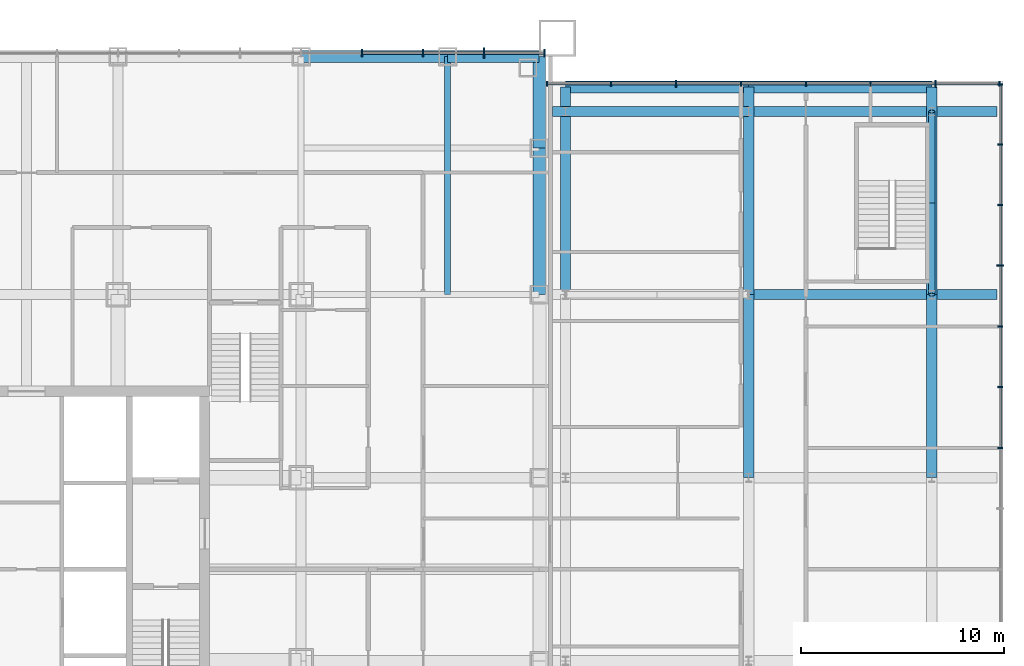
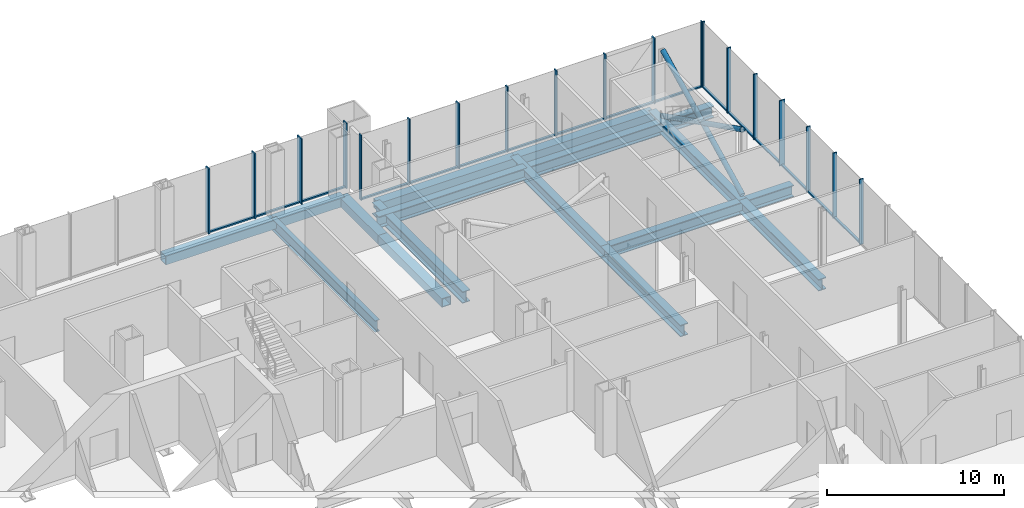
# One storey, part 12 of 25: 37 members, 15 beams, 3 elements without a shape of their own.
"""IFC4 building model written with IfcOpenShell, lengths in metres."""

import ifcopenshell
import ifcopenshell.guid

model = None  # the IFC model being written
_history = None  # IfcOwnerHistory: only IFC2X3 demands one
_inside = {}  # id of a spatial element -> (the spatial element, [elements in it])
_under = {}  # id of a project, library or spatial element -> (it, [spatial elements below it])
_declared = {}  # id of a project -> (the project, [libraries it declares])
_typed = {}  # id of a type object -> (the type object, [elements of that type])
_made_of = {}  # id of a material, layer set ... -> (it, [elements and type objects made of it])


def new_model(schema):
    """Start an empty IFC model of exactly this schema.

    Asked for "IFC4X3", IfcOpenShell would pick the latest addendum, in which some entities
    have other attributes; the version numbers below select the first issue.
    IFC2X3 requires an IfcOwnerHistory on every rooted entity: one is made here for all.
    """
    global model, _history
    if schema == "IFC4X3":
        model = ifcopenshell.file(schema_version=(4, 3, 0, 0))
    else:
        model = ifcopenshell.file(schema=schema)
    _inside.clear()
    _under.clear()
    _declared.clear()
    _typed.clear()
    _made_of.clear()
    _history = None
    if model.schema == "IFC2X3":
        org = make("IfcOrganization", Name="unknown")
        user = make(
            "IfcPersonAndOrganization",
            ThePerson=make("IfcPerson", FamilyName="unknown"),
            TheOrganization=org,
        )
        app = make(
            "IfcApplication",
            ApplicationDeveloper=org,
            Version="unknown",
            ApplicationFullName="unknown",
            ApplicationIdentifier="unknown",
        )
        _history = make(
            "IfcOwnerHistory",
            OwningUser=user,
            OwningApplication=app,
            ChangeAction="ADDED",
            CreationDate=0,
        )
    return model


def make(cls, **values):
    """One entity of the class cls with the attributes given. An attribute that is None is left unset."""
    return model.create_entity(
        cls, **{name: value for name, value in values.items() if value is not None}
    )


def rooted(cls, **values):
    """An entity with a GlobalId (a new one), such as an element, a storey or a relation."""
    return make(cls, GlobalId=ifcopenshell.guid.new(), OwnerHistory=_history, **values)


def si_unit(unit_type, name, prefix=None):
    """IfcSIUnit, for example si_unit("LENGTHUNIT", "METRE", prefix="MILLI")."""
    return make("IfcSIUnit", UnitType=unit_type, Prefix=prefix, Name=name)


def assignment(units):
    """IfcUnitAssignment: the units of a project."""
    return None if units is None else make("IfcUnitAssignment", Units=units)


def point(xyz):
    """IfcCartesianPoint."""
    return None if xyz is None else make("IfcCartesianPoint", Coordinates=xyz)


def direction(xyz):
    """IfcDirection."""
    return None if xyz is None else make("IfcDirection", DirectionRatios=xyz)


def frame(location, z_axis=None, x_axis=None):
    """IfcAxis2Placement3D, a coordinate frame: its origin and axes. An axis left out is left unset."""
    return make(
        "IfcAxis2Placement3D",
        Location=point(location),
        Axis=direction(z_axis),
        RefDirection=direction(x_axis),
    )


def frame_2d(location, x_axis=None):
    """IfcAxis2Placement2D, a coordinate frame in the plane: its origin and x axis."""
    return make(
        "IfcAxis2Placement2D", Location=point(location), RefDirection=direction(x_axis)
    )


def origin():
    """The frame at (0, 0, 0) with its axes left unset."""
    return frame((0.0, 0.0, 0.0))


def origin_2d():
    """The frame at (0, 0) in the plane with its x axis left unset."""
    return frame_2d((0.0, 0.0))


def place(relative_to, where):
    """IfcLocalPlacement: puts the frame where relative to a parent placement (None: the world)."""
    return make(
        "IfcLocalPlacement", PlacementRelTo=relative_to, RelativePlacement=where
    )


def context(
    kind, dimensions, precision=None, world=None, true_north=None, identifier=None
):
    """IfcGeometricRepresentationContext, for example the 3D "Model" context."""
    return make(
        "IfcGeometricRepresentationContext",
        ContextIdentifier=identifier,
        ContextType=kind,
        CoordinateSpaceDimension=dimensions,
        Precision=precision,
        WorldCoordinateSystem=world,
        TrueNorth=true_north,
    )


def subcontext(parent, identifier, kind, view, scale=None):
    """IfcGeometricRepresentationSubContext, for example "Body" below "Model"."""
    return make(
        "IfcGeometricRepresentationSubContext",
        ContextIdentifier=identifier,
        ContextType=kind,
        ParentContext=parent,
        TargetScale=scale,
        TargetView=view,
    )


def project(units=None, contexts=None):
    """IfcProject with its units and contexts."""
    return rooted(
        "IfcProject",
        Name="project",
        RepresentationContexts=contexts,
        UnitsInContext=assignment(units),
    )


def spatial(cls, under=None, at=None, **own):
    """A site, building, storey or space (cls), placed at a placement, below another one or the project."""
    s = rooted(cls, ObjectPlacement=at, **own)
    if under is not None:
        _under.setdefault(under.id(), (under, []))[1].append(s)
    return s


def profile(cls, at=None, kind="AREA", **sizes):
    """A parametric profile (cls). Its sizes go by their IFC names, for example OverallWidth=200.0."""
    return make(cls, ProfileType=kind, Position=at, **sizes)


def rectangle(**sizes):
    """IfcRectangleProfileDef."""
    return profile("IfcRectangleProfileDef", **sizes)


def hollow_rectangle(**sizes):
    """IfcRectangleHollowProfileDef."""
    return profile("IfcRectangleHollowProfileDef", **sizes)


def hollow_circle(**sizes):
    """IfcCircleHollowProfileDef."""
    return profile("IfcCircleHollowProfileDef", **sizes)


def i_section(**sizes):
    """IfcIShapeProfileDef."""
    return profile("IfcIShapeProfileDef", **sizes)


def extrude(swept, where, along, depth):
    """IfcExtrudedAreaSolid: the profile swept, set in the frame where, extruded along a direction by depth."""
    return make(
        "IfcExtrudedAreaSolid",
        SweptArea=swept,
        Position=where,
        ExtrudedDirection=direction(along),
        Depth=depth,
    )


def shape(context_of_items, identifier, shape_type, items):
    """IfcShapeRepresentation: the items that make up one representation, for example the "Body"."""
    return make(
        "IfcShapeRepresentation",
        ContextOfItems=context_of_items,
        RepresentationIdentifier=identifier,
        RepresentationType=shape_type,
        Items=items,
    )


def material(Name=None, Category=None):
    """IfcMaterial."""
    return make("IfcMaterial", Name=Name, Category=Category)


def layer(
    of_material, thickness, ventilated=None, Name=None, Category=None, Priority=None
):
    """IfcMaterialLayer: one layer of a wall or slab, of a material (None: an air gap)."""
    return make(
        "IfcMaterialLayer",
        Material=of_material,
        LayerThickness=thickness,
        IsVentilated=ventilated,
        Name=Name,
        Category=Category,
        Priority=Priority,
    )


def layer_set(layers, Name=None):
    """IfcMaterialLayerSet."""
    return make("IfcMaterialLayerSet", MaterialLayers=layers, LayerSetName=Name)


def material_profile(
    of_material, cross_section, Name=None, Category=None, Priority=None
):
    """IfcMaterialProfile: a cross section and its material."""
    return make(
        "IfcMaterialProfile",
        Name=Name,
        Material=of_material,
        Profile=cross_section,
        Priority=Priority,
        Category=Category,
    )


def profile_set(profiles, Name=None, composite=None):
    """IfcMaterialProfileSet."""
    return make(
        "IfcMaterialProfileSet",
        Name=Name,
        MaterialProfiles=profiles,
        CompositeProfile=composite,
    )


def made_of(thing, what):
    """Note that an element or type object is made of a material, layer set ...; save() writes the relation."""
    if what is not None:
        _made_of.setdefault(what.id(), (what, []))[1].append(thing)
    return thing


def type_object(cls, material=None, **own):
    """A type object (cls), such as IfcWallType, which elements share."""
    return made_of(rooted(cls, **own), material)


def element(
    cls,
    number,
    at=None,
    inside=None,
    cuts=None,
    type_object=None,
    material=None,
    context=None,
    identifier="Body",
    shape_type=None,
    held_by="IfcProductDefinitionShape",
    body=None,
    shapes=None,
    **own,
):
    """One element of the class cls, such as IfcWall. Its Tag is "e" and its number.

    at: its placement. inside: the storey or other place that contains it. cuts: it is an
    opening in that element (IfcRelVoidsElement). A single representation is given by context,
    identifier, shape_type and body (its items); several are given by shapes. held_by: the class
    of the entity that holds the representations. save() writes the other relations.
    """
    e = rooted(cls, Tag="e%d" % number, ObjectPlacement=at, **own)
    if body is not None:
        shapes = [shape(context, identifier, shape_type, body)]
    if shapes is not None:
        e.Representation = make(held_by, Representations=shapes)
    if inside is not None:
        _inside.setdefault(inside.id(), (inside, []))[1].append(e)
    if cuts is not None:
        rooted(
            "IfcRelVoidsElement", RelatingBuildingElement=cuts, RelatedOpeningElement=e
        )
    if type_object is not None:
        _typed.setdefault(type_object.id(), (type_object, []))[1].append(e)
    return made_of(e, material)


def aggregate(whole, parts):
    """IfcRelAggregates: a whole, such as a stair, and the parts it consists of."""
    return rooted("IfcRelAggregates", RelatingObject=whole, RelatedObjects=parts)


def save(model, path):
    """Write the relations noted so far, then the file.

    IfcRelAggregates (storeys below a building ...), IfcRelContainedInSpatialStructure (elements
    in a storey), IfcRelDefinesByType, IfcRelAssociatesMaterial and IfcRelDeclares: one each for
    every whole, place, type object, material and project.
    """
    for whole, parts in _under.values():
        aggregate(whole, parts)
    for where, things in _inside.values():
        rooted(
            "IfcRelContainedInSpatialStructure",
            RelatedElements=things,
            RelatingStructure=where,
        )
    for kind, things in _typed.values():
        rooted("IfcRelDefinesByType", RelatedObjects=things, RelatingType=kind)
    for what, things in _made_of.values():
        rooted("IfcRelAssociatesMaterial", RelatedObjects=things, RelatingMaterial=what)
    for by, libraries in _declared.values():
        rooted("IfcRelDeclares", RelatingContext=by, RelatedDefinitions=libraries)
    model.write(path)


model = new_model("IFC4")

# Units and contexts
model_context = context("Model", 3, precision=1e-05, world=origin(), true_north=direction((0.0, 1.0)))
body_context = subcontext(model_context, "Body", "Model", "MODEL_VIEW")
ifc_project = project(units=[si_unit("LENGTHUNIT", "METRE"), si_unit("AREAUNIT", "SQUARE_METRE"), si_unit("VOLUMEUNIT", "CUBIC_METRE"), si_unit("PLANEANGLEUNIT", "RADIAN"), si_unit("MASSUNIT", "GRAM", prefix="KILO")], contexts=[model_context])

# Site, building, storey
site_placement = place(None, origin())
site = spatial("IfcSite", under=ifc_project, at=site_placement, CompositionType="ELEMENT")
building_placement = place(site_placement, origin())
building = spatial("IfcBuilding", under=site, at=building_placement, Name="Malebo Sky Hospital", CompositionType="ELEMENT")
storey_placement = place(building_placement, frame((0.0, 0.0, 16.5)))
storey = spatial("IfcBuildingStorey", under=building, at=storey_placement, Name="L03", CompositionType="ELEMENT", Elevation=16.5)

# Curtain wall, members
ifc_material_1 = material(Name="Anodised aluminium, natural silver", Category="aluminium")
ifc_layer_1 = layer(ifc_material_1, 0.25)
ifc_layer_set_1 = layer_set([ifc_layer_1], Name="PODIUM ENTRANCE BAY CURTAIN WALL")
curtain_wall_type_1 = type_object("IfcCurtainWallType", Name="PODIUM ENTRANCE BAY CURTAIN WALL", PredefinedType="NOTDEFINED", material=ifc_layer_set_1)
curtain_wall_1_placement = place(storey_placement, origin())
curtain_wall_1 = element("IfcCurtainWall", 1, at=curtain_wall_1_placement, inside=storey, type_object=curtain_wall_type_1, Name="BAY curtain wall BN", PredefinedType="NOTDEFINED")
ifc_material_profile_1 = material_profile(ifc_material_1, rectangle(XDim=0.14990234375, YDim=0.10009765625, at=origin_2d()), Name="ALUMINIUM TRANSOM 150x100")
ifc_profile_set_1 = profile_set([ifc_material_profile_1], Name="Anodised aluminium, natural silver")
member_type_1 = type_object("IfcMemberType", Name="ALUMINIUM TRANSOM 150x100", PredefinedType="USERDEFINED", material=ifc_profile_set_1)
member_1_placement = place(storey_placement, frame((85.425048828125, 87.375, 0.050048828125), z_axis=(-1.0, 0.0, 0.0), x_axis=(0.0, -1.0, 0.0)))
member_1 = element("IfcMember", 2, at=member_1_placement, type_object=member_type_1, Name="Transom 1", ObjectType="TRANSOM", PredefinedType="USERDEFINED", context=body_context, shape_type="SweptSolid", body=[
    extrude(rectangle(XDim=0.14990234375, YDim=0.10009765625, at=origin_2d()), origin(), (0.0, 0.0, 1.0), 2.887451171875),
])
member_2_placement = place(storey_placement, frame((82.46240234375, 87.375, 0.050048828125), z_axis=(-1.0, 0.0, 0.0), x_axis=(0.0, -1.0, 0.0)))
member_2 = element("IfcMember", 3, at=member_2_placement, type_object=member_type_1, Name="Transom 2", ObjectType="TRANSOM", PredefinedType="USERDEFINED", context=body_context, shape_type="SweptSolid", body=[
    extrude(rectangle(XDim=0.14990234375, YDim=0.10009765625, at=origin_2d()), origin(), (0.0, 0.0, 1.0), 2.9248046875),
])
member_3_placement = place(storey_placement, frame((79.46240234375, 87.375, 0.050048828125), z_axis=(-1.0, 0.0, 0.0), x_axis=(0.0, -1.0, 0.0)))
member_3 = element("IfcMember", 4, at=member_3_placement, type_object=member_type_1, Name="Transom 3", ObjectType="TRANSOM", PredefinedType="USERDEFINED", context=body_context, shape_type="SweptSolid", body=[
    extrude(rectangle(XDim=0.14990234375, YDim=0.10009765625, at=origin_2d()), origin(), (0.0, 0.0, 1.0), 2.9248046875),
])

ifc_layer_2 = layer(ifc_material_1, 0.25)
ifc_layer_set_2 = layer_set([ifc_layer_2], Name="PODIUM CURTAIN WALL")
curtain_wall_type_2 = type_object("IfcCurtainWallType", Name="PODIUM CURTAIN WALL", PredefinedType="NOTDEFINED", material=ifc_layer_set_2)
curtain_wall_2_placement = place(storey_placement, origin())
curtain_wall_2 = element("IfcCurtainWall", 5, at=curtain_wall_2_placement, inside=storey, type_object=curtain_wall_type_2, Name="POD curtain wall EE", PredefinedType="NOTDEFINED")
member_4_placement = place(storey_placement, frame((107.875, 68.00634765625, 0.050048828125), z_axis=(0.0, 1.0, 0.0), x_axis=(-1.0, 0.0, 0.0)))
member_4 = element("IfcMember", 6, at=member_4_placement, type_object=member_type_1, Name="Transom 11", ObjectType="TRANSOM", PredefinedType="USERDEFINED", context=body_context, shape_type="SweptSolid", body=[
    extrude(rectangle(XDim=0.14990234375, YDim=0.10009765625, at=origin_2d()), origin(), (0.0, 0.0, 1.0), 2.9091796875),
])
member_5_placement = place(storey_placement, frame((107.875, 70.990478515625, 0.050048828125), z_axis=(0.0, 1.0, 0.0), x_axis=(-1.0, 0.0, 0.0)))
member_5 = element("IfcMember", 7, at=member_5_placement, type_object=member_type_1, Name="Transom 12", ObjectType="TRANSOM", PredefinedType="USERDEFINED", context=body_context, shape_type="SweptSolid", body=[
    extrude(rectangle(XDim=0.14990234375, YDim=0.10009765625, at=origin_2d()), origin(), (0.0, 0.0, 1.0), 2.909423828125),
])
member_6_placement = place(storey_placement, frame((107.875, 73.97509765625, 0.050048828125), z_axis=(0.0, 1.0, 0.0), x_axis=(-1.0, 0.0, 0.0)))
member_6 = element("IfcMember", 8, at=member_6_placement, type_object=member_type_1, Name="Transom 13", ObjectType="TRANSOM", PredefinedType="USERDEFINED", context=body_context, shape_type="SweptSolid", body=[
    extrude(rectangle(XDim=0.14990234375, YDim=0.10009765625, at=origin_2d()), origin(), (0.0, 0.0, 1.0), 2.909423828125),
])
member_7_placement = place(storey_placement, frame((107.875, 76.95947265625, 0.050048828125), z_axis=(0.0, 1.0, 0.0), x_axis=(-1.0, 0.0, 0.0)))
member_7 = element("IfcMember", 9, at=member_7_placement, type_object=member_type_1, Name="Transom 14", ObjectType="TRANSOM", PredefinedType="USERDEFINED", context=body_context, shape_type="SweptSolid", body=[
    extrude(rectangle(XDim=0.14990234375, YDim=0.10009765625, at=origin_2d()), origin(), (0.0, 0.0, 1.0), 2.9091796875),
])
member_8_placement = place(storey_placement, frame((107.875, 79.943603515625, 0.050048828125), z_axis=(0.0, 1.0, 0.0), x_axis=(-1.0, 0.0, 0.0)))
member_8 = element("IfcMember", 10, at=member_8_placement, type_object=member_type_1, Name="Transom 15", ObjectType="TRANSOM", PredefinedType="USERDEFINED", context=body_context, shape_type="SweptSolid", body=[
    extrude(rectangle(XDim=0.14990234375, YDim=0.10009765625, at=origin_2d()), origin(), (0.0, 0.0, 1.0), 2.909423828125),
])
member_9_placement = place(storey_placement, frame((107.875, 82.927978515625, 0.050048828125), z_axis=(0.0, 1.0, 0.0), x_axis=(-1.0, 0.0, 0.0)))
member_9 = element("IfcMember", 11, at=member_9_placement, type_object=member_type_1, Name="Transom 16", ObjectType="TRANSOM", PredefinedType="USERDEFINED", context=body_context, shape_type="SweptSolid", body=[
    extrude(rectangle(XDim=0.14990234375, YDim=0.10009765625, at=origin_2d()), origin(), (0.0, 0.0, 1.0), 2.8720703125),
])

curtain_wall_3_placement = place(storey_placement, origin())
curtain_wall_3 = element("IfcCurtainWall", 12, at=curtain_wall_3_placement, inside=storey, type_object=curtain_wall_type_2, Name="POD curtain wall EN", PredefinedType="NOTDEFINED")
member_10_placement = place(storey_placement, frame((107.800048828125, 85.875, 0.050048828125), z_axis=(-1.0, 0.0, 0.0), x_axis=(0.0, -1.0, 0.0)))
member_10 = element("IfcMember", 13, at=member_10_placement, type_object=member_type_1, Name="Transom 1", ObjectType="TRANSOM", PredefinedType="USERDEFINED", context=body_context, shape_type="SweptSolid", body=[
    extrude(rectangle(XDim=0.14990234375, YDim=0.10009765625, at=origin_2d()), origin(), (0.0, 0.0, 1.0), 3.076904296875),
])
member_11_placement = place(storey_placement, frame((104.648193359375, 85.875, 0.050048828125), z_axis=(-1.0, 0.0, 0.0), x_axis=(0.0, -1.0, 0.0)))
member_11 = element("IfcMember", 14, at=member_11_placement, type_object=member_type_1, Name="Transom 2", ObjectType="TRANSOM", PredefinedType="USERDEFINED", context=body_context, shape_type="SweptSolid", body=[
    extrude(rectangle(XDim=0.14990234375, YDim=0.10009765625, at=origin_2d()), origin(), (0.0, 0.0, 1.0), 3.1142578125),
])
member_12_placement = place(storey_placement, frame((101.458984375, 85.875, 0.050048828125), z_axis=(-1.0, 0.0, 0.0), x_axis=(0.0, -1.0, 0.0)))
member_12 = element("IfcMember", 15, at=member_12_placement, type_object=member_type_1, Name="Transom 3", ObjectType="TRANSOM", PredefinedType="USERDEFINED", context=body_context, shape_type="SweptSolid", body=[
    extrude(rectangle(XDim=0.14990234375, YDim=0.10009765625, at=origin_2d()), origin(), (0.0, 0.0, 1.0), 3.114501953125),
])
member_13_placement = place(storey_placement, frame((98.26953125, 85.875, 0.050048828125), z_axis=(-1.0, 0.0, 0.0), x_axis=(0.0, -1.0, 0.0)))
member_13 = element("IfcMember", 16, at=member_13_placement, type_object=member_type_1, Name="Transom 4", ObjectType="TRANSOM", PredefinedType="USERDEFINED", context=body_context, shape_type="SweptSolid", body=[
    extrude(rectangle(XDim=0.14990234375, YDim=0.10009765625, at=origin_2d()), origin(), (0.0, 0.0, 1.0), 3.114013671875),
])
member_14_placement = place(storey_placement, frame((95.080322265625, 85.875, 0.050048828125), z_axis=(-1.0, 0.0, 0.0), x_axis=(0.0, -1.0, 0.0)))
member_14 = element("IfcMember", 17, at=member_14_placement, type_object=member_type_1, Name="Transom 5", ObjectType="TRANSOM", PredefinedType="USERDEFINED", context=body_context, shape_type="SweptSolid", body=[
    extrude(rectangle(XDim=0.14990234375, YDim=0.10009765625, at=origin_2d()), origin(), (0.0, 0.0, 1.0), 3.1142578125),
])
member_15_placement = place(storey_placement, frame((91.89111328125, 85.875, 0.050048828125), z_axis=(-1.0, 0.0, 0.0), x_axis=(0.0, -1.0, 0.0)))
member_15 = element("IfcMember", 18, at=member_15_placement, type_object=member_type_1, Name="Transom 6", ObjectType="TRANSOM", PredefinedType="USERDEFINED", context=body_context, shape_type="SweptSolid", body=[
    extrude(rectangle(XDim=0.14990234375, YDim=0.10009765625, at=origin_2d()), origin(), (0.0, 0.0, 1.0), 3.1142578125),
])
member_16_placement = place(storey_placement, frame((88.701904296875, 85.875, 0.050048828125), z_axis=(-1.0, 0.0, 0.0), x_axis=(0.0, -1.0, 0.0)))
member_16 = element("IfcMember", 19, at=member_16_placement, type_object=member_type_1, Name="Transom 7", ObjectType="TRANSOM", PredefinedType="USERDEFINED", context=body_context, shape_type="SweptSolid", body=[
    extrude(rectangle(XDim=0.14990234375, YDim=0.10009765625, at=origin_2d()), origin(), (0.0, 0.0, 1.0), 3.076904296875),
])

# Member
ifc_material_profile_2 = material_profile(ifc_material_1, rectangle(XDim=0.074951171875, YDim=0.25, at=origin_2d()), Name="CW3 ALUMINIUM FIN MULLION 75x250")
ifc_profile_set_2 = profile_set([ifc_material_profile_2], Name="Anodised aluminium, natural silver")
member_type_2 = type_object("IfcMemberType", Name="CW3 ALUMINIUM FIN MULLION 75x250", PredefinedType="MULLION", material=ifc_profile_set_2)
member_17_placement = place(storey_placement, frame((107.875, 67.96875, 0.0), z_axis=(0.0, 0.0, 1.0), x_axis=(0.0, 1.0, 0.0)))
member_17 = element("IfcMember", 20, at=member_17_placement, type_object=member_type_2, Name="Fin mullion 11", PredefinedType="MULLION", context=body_context, shape_type="SweptSolid", body=[
    extrude(rectangle(XDim=0.074951171875, YDim=0.25, at=origin_2d()), origin(), (0.0, 0.0, 1.0), 4.5),
])

member_18_placement = place(storey_placement, frame((107.875, 70.953125, 0.0), z_axis=(0.0, 0.0, 1.0), x_axis=(0.0, 1.0, 0.0)))
member_18 = element("IfcMember", 21, at=member_18_placement, type_object=member_type_2, Name="Fin mullion 12", PredefinedType="MULLION", context=body_context, shape_type="SweptSolid", body=[
    extrude(rectangle(XDim=0.074951171875, YDim=0.25, at=origin_2d()), origin(), (0.0, 0.0, 1.0), 4.5),
])

member_19_placement = place(storey_placement, frame((107.875, 73.9375, 0.0), z_axis=(0.0, 0.0, 1.0), x_axis=(0.0, 1.0, 0.0)))
member_19 = element("IfcMember", 22, at=member_19_placement, type_object=member_type_2, Name="Fin mullion 13", PredefinedType="MULLION", context=body_context, shape_type="SweptSolid", body=[
    extrude(rectangle(XDim=0.074951171875, YDim=0.25, at=origin_2d()), origin(), (0.0, 0.0, 1.0), 4.5),
])

member_20_placement = place(storey_placement, frame((107.875, 79.90625, 0.0), z_axis=(0.0, 0.0, 1.0), x_axis=(0.0, 1.0, 0.0)))
member_20 = element("IfcMember", 23, at=member_20_placement, type_object=member_type_2, Name="Fin mullion 15", PredefinedType="MULLION", context=body_context, shape_type="SweptSolid", body=[
    extrude(rectangle(XDim=0.074951171875, YDim=0.25, at=origin_2d()), origin(), (0.0, 0.0, 1.0), 4.5),
])

member_21_placement = place(storey_placement, frame((107.875, 82.890625, 0.0), z_axis=(0.0, 0.0, 1.0), x_axis=(0.0, 1.0, 0.0)))
member_21 = element("IfcMember", 24, at=member_21_placement, type_object=member_type_2, Name="Fin mullion 16", PredefinedType="MULLION", context=body_context, shape_type="SweptSolid", body=[
    extrude(rectangle(XDim=0.074951171875, YDim=0.25, at=origin_2d()), origin(), (0.0, 0.0, 1.0), 4.5),
])

member_22_placement = place(storey_placement, frame((107.875, 85.83740234375, 0.0), z_axis=(0.0, 0.0, 1.0), x_axis=(0.0, 1.0, 0.0)))
member_22 = element("IfcMember", 25, at=member_22_placement, type_object=member_type_2, Name="Fin mullion 17", PredefinedType="MULLION", context=body_context, shape_type="SweptSolid", body=[
    extrude(rectangle(XDim=0.074951171875, YDim=0.25, at=origin_2d()), origin(), (0.0, 0.0, 1.0), 4.5),
])

member_23_placement = place(storey_placement, frame((107.83740234375, 85.875, 0.0), z_axis=(0.0, 0.0, 1.0), x_axis=(-1.0, 0.0, 0.0)))
member_23 = element("IfcMember", 26, at=member_23_placement, type_object=member_type_2, Name="Fin mullion 1", PredefinedType="MULLION", context=body_context, shape_type="SweptSolid", body=[
    extrude(rectangle(XDim=0.074951171875, YDim=0.25, at=origin_2d()), origin(), (0.0, 0.0, 1.0), 4.5),
])

member_24_placement = place(storey_placement, frame((101.496337890625, 85.875, 0.0), z_axis=(0.0, 0.0, 1.0), x_axis=(-1.0, 0.0, 0.0)))
member_24 = element("IfcMember", 27, at=member_24_placement, type_object=member_type_2, Name="Fin mullion 3", PredefinedType="MULLION", context=body_context, shape_type="SweptSolid", body=[
    extrude(rectangle(XDim=0.074951171875, YDim=0.25, at=origin_2d()), origin(), (0.0, 0.0, 1.0), 4.5),
])

member_25_placement = place(storey_placement, frame((98.30712890625, 85.875, 0.0), z_axis=(0.0, 0.0, 1.0), x_axis=(-1.0, 0.0, 0.0)))
member_25 = element("IfcMember", 28, at=member_25_placement, type_object=member_type_2, Name="Fin mullion 4", PredefinedType="MULLION", context=body_context, shape_type="SweptSolid", body=[
    extrude(rectangle(XDim=0.074951171875, YDim=0.25, at=origin_2d()), origin(), (0.0, 0.0, 1.0), 4.5),
])

member_26_placement = place(storey_placement, frame((95.117919921875, 85.875, 0.0), z_axis=(0.0, 0.0, 1.0), x_axis=(-1.0, 0.0, 0.0)))
member_26 = element("IfcMember", 29, at=member_26_placement, type_object=member_type_2, Name="Fin mullion 5", PredefinedType="MULLION", context=body_context, shape_type="SweptSolid", body=[
    extrude(rectangle(XDim=0.074951171875, YDim=0.25, at=origin_2d()), origin(), (0.0, 0.0, 1.0), 4.5),
])

member_27_placement = place(storey_placement, frame((88.7392578125, 85.875, 0.0), z_axis=(0.0, 0.0, 1.0), x_axis=(-1.0, 0.0, 0.0)))
member_27 = element("IfcMember", 30, at=member_27_placement, type_object=member_type_2, Name="Fin mullion 7", PredefinedType="MULLION", context=body_context, shape_type="SweptSolid", body=[
    extrude(rectangle(XDim=0.074951171875, YDim=0.25, at=origin_2d()), origin(), (0.0, 0.0, 1.0), 4.5),
])

member_28_placement = place(storey_placement, frame((85.58740234375, 85.875, 0.0), z_axis=(0.0, 0.0, 1.0), x_axis=(-1.0, 0.0, 0.0)))
member_28 = element("IfcMember", 31, at=member_28_placement, type_object=member_type_2, Name="Fin mullion 8", PredefinedType="MULLION", context=body_context, shape_type="SweptSolid", body=[
    extrude(rectangle(XDim=0.074951171875, YDim=0.25, at=origin_2d()), origin(), (0.0, 0.0, 1.0), 4.5),
])

ifc_material_profile_3 = material_profile(ifc_material_1, rectangle(XDim=0.074951171875, YDim=0.35009765625, at=origin_2d()), Name="CW3 ALUMINIUM FIN MULLION 75x350")
ifc_profile_set_3 = profile_set([ifc_material_profile_3], Name="Anodised aluminium, natural silver")
member_type_3 = type_object("IfcMemberType", Name="CW3 ALUMINIUM FIN MULLION 75x350", PredefinedType="MULLION", material=ifc_profile_set_3)
member_29_placement = place(storey_placement, frame((107.875, 76.921875, 0.0), z_axis=(0.0, 0.0, 1.0), x_axis=(0.0, 1.0, 0.0)))
member_29 = element("IfcMember", 32, at=member_29_placement, type_object=member_type_3, Name="Fin mullion 14", PredefinedType="MULLION", context=body_context, shape_type="SweptSolid", body=[
    extrude(rectangle(XDim=0.074951171875, YDim=0.35009765625, at=origin_2d()), origin(), (0.0, 0.0, 1.0), 4.5),
])

aggregate(curtain_wall_2, [member_17, member_18, member_19, member_29, member_20, member_21, member_22, member_4, member_5, member_6, member_7, member_8, member_9])

member_30_placement = place(storey_placement, frame((104.685791015625, 85.875, 0.0), z_axis=(0.0, 0.0, 1.0), x_axis=(-1.0, 0.0, 0.0)))
member_30 = element("IfcMember", 33, at=member_30_placement, type_object=member_type_3, Name="Fin mullion 2", PredefinedType="MULLION", context=body_context, shape_type="SweptSolid", body=[
    extrude(rectangle(XDim=0.074951171875, YDim=0.35009765625, at=origin_2d()), origin(), (0.0, 0.0, 1.0), 4.5),
])

member_31_placement = place(storey_placement, frame((91.9287109375, 85.875, 0.0), z_axis=(0.0, 0.0, 1.0), x_axis=(-1.0, 0.0, 0.0)))
member_31 = element("IfcMember", 34, at=member_31_placement, type_object=member_type_3, Name="Fin mullion 6", PredefinedType="MULLION", context=body_context, shape_type="SweptSolid", body=[
    extrude(rectangle(XDim=0.074951171875, YDim=0.35009765625, at=origin_2d()), origin(), (0.0, 0.0, 1.0), 4.5),
])

aggregate(curtain_wall_3, [member_23, member_30, member_24, member_25, member_26, member_31, member_27, member_28, member_10, member_11, member_12, member_13, member_14, member_15, member_16])

ifc_material_profile_4 = material_profile(ifc_material_1, rectangle(XDim=0.074951171875, YDim=0.35009765625, at=origin_2d()), Name="CW4 ALUMINIUM FIN MULLION 75x350")
ifc_profile_set_4 = profile_set([ifc_material_profile_4], Name="Anodised aluminium, natural silver")
member_type_4 = type_object("IfcMemberType", Name="CW4 ALUMINIUM FIN MULLION 75x350", PredefinedType="MULLION", material=ifc_profile_set_4)
member_32_placement = place(storey_placement, frame((85.46240234375, 87.375, 0.0), z_axis=(0.0, 0.0, 1.0), x_axis=(-1.0, 0.0, 0.0)))
member_32 = element("IfcMember", 35, at=member_32_placement, type_object=member_type_4, Name="Fin mullion 1", PredefinedType="MULLION", context=body_context, shape_type="SweptSolid", body=[
    extrude(rectangle(XDim=0.074951171875, YDim=0.35009765625, at=origin_2d()), origin(), (0.0, 0.0, 1.0), 4.5),
])

member_33_placement = place(storey_placement, frame((79.5, 87.375, 0.0), z_axis=(0.0, 0.0, 1.0), x_axis=(-1.0, 0.0, 0.0)))
member_33 = element("IfcMember", 36, at=member_33_placement, type_object=member_type_4, Name="Fin mullion 3", PredefinedType="MULLION", context=body_context, shape_type="SweptSolid", body=[
    extrude(rectangle(XDim=0.074951171875, YDim=0.35009765625, at=origin_2d()), origin(), (0.0, 0.0, 1.0), 4.5),
])

member_34_placement = place(storey_placement, frame((76.5, 87.375, 0.0), z_axis=(0.0, 0.0, 1.0), x_axis=(-1.0, 0.0, 0.0)))
member_34 = element("IfcMember", 37, at=member_34_placement, type_object=member_type_4, Name="Fin mullion 4", PredefinedType="MULLION", context=body_context, shape_type="SweptSolid", body=[
    extrude(rectangle(XDim=0.074951171875, YDim=0.35009765625, at=origin_2d()), origin(), (0.0, 0.0, 1.0), 4.5),
])

ifc_material_profile_5 = material_profile(ifc_material_1, rectangle(XDim=0.074951171875, YDim=0.5, at=origin_2d()), Name="CW4 ALUMINIUM FIN MULLION 75x500")
ifc_profile_set_5 = profile_set([ifc_material_profile_5], Name="Anodised aluminium, natural silver")
member_type_5 = type_object("IfcMemberType", Name="CW4 ALUMINIUM FIN MULLION 75x500", PredefinedType="MULLION", material=ifc_profile_set_5)
member_35_placement = place(storey_placement, frame((82.5, 87.375, 0.0), z_axis=(0.0, 0.0, 1.0), x_axis=(-1.0, 0.0, 0.0)))
member_35 = element("IfcMember", 38, at=member_35_placement, type_object=member_type_5, Name="Fin mullion 2", PredefinedType="MULLION", context=body_context, shape_type="SweptSolid", body=[
    extrude(rectangle(XDim=0.074951171875, YDim=0.5, at=origin_2d()), origin(), (0.0, 0.0, 1.0), 4.5),
])

aggregate(curtain_wall_1, [member_32, member_35, member_33, member_34, member_1, member_2, member_3])

# Beams
ifc_material_2 = material(Name="Steel S460", Category="steel")
ifc_material_profile_6 = material_profile(ifc_material_2, hollow_rectangle(XDim=0.60009765625, YDim=0.60009765625, WallThickness=0.0400390625, at=origin_2d()), Name="BOX 600x600x40")
ifc_profile_set_6 = profile_set([ifc_material_profile_6], Name="Steel S460")
beam_type_1 = type_object("IfcBeamType", Name="EDGE BEAM BOX 600x600x40", PredefinedType="BEAM", material=ifc_profile_set_6)
beam_1_placement = place(storey_placement, frame((85.199951171875, 75.5, -0.60009765625), z_axis=(0.0, 1.0, 0.0), x_axis=(-1.0, 0.0, 0.0)))
element("IfcBeam", 39, at=beam_1_placement, inside=storey, type_object=beam_type_1, Name="Beam 036 L03", PredefinedType="BEAM", context=body_context, shape_type="SweptSolid", body=[
    extrude(hollow_rectangle(XDim=0.60009765625, YDim=0.60009765625, WallThickness=0.0400390625, at=origin_2d()), origin(), (0.0, 0.0, 1.0), 7.199951171875),
])
beam_2_placement = place(storey_placement, frame((85.199951171875, 82.699951171875, -0.60009765625), z_axis=(0.0, 1.0, 0.0), x_axis=(-1.0, 0.0, 0.0)))
element("IfcBeam", 40, at=beam_2_placement, inside=storey, type_object=beam_type_1, Name="Beam 037 L03", PredefinedType="BEAM", context=body_context, shape_type="SweptSolid", body=[
    extrude(hollow_rectangle(XDim=0.60009765625, YDim=0.60009765625, WallThickness=0.0400390625, at=origin_2d()), origin(), (0.0, 0.0, 1.0), 4.5),
])
beam_3_placement = place(storey_placement, frame((73.5, 87.199951171875, -0.60009765625), z_axis=(1.0, 0.0, 0.0), x_axis=(0.0, 1.0, 0.0)))
element("IfcBeam", 41, at=beam_3_placement, inside=storey, type_object=beam_type_1, Name="Beam 074 L03", PredefinedType="BEAM", context=body_context, shape_type="SweptSolid", body=[
    extrude(hollow_rectangle(XDim=0.60009765625, YDim=0.60009765625, WallThickness=0.0400390625, at=origin_2d()), origin(), (0.0, 0.0, 1.0), 7.199951171875),
])
beam_4_placement = place(storey_placement, frame((80.699951171875, 87.199951171875, -0.60009765625), z_axis=(1.0, 0.0, 0.0), x_axis=(0.0, 1.0, 0.0)))
element("IfcBeam", 42, at=beam_4_placement, inside=storey, type_object=beam_type_1, Name="Beam 075 L03", PredefinedType="BEAM", context=body_context, shape_type="SweptSolid", body=[
    extrude(hollow_rectangle(XDim=0.60009765625, YDim=0.60009765625, WallThickness=0.0400390625, at=origin_2d()), origin(), (0.0, 0.0, 1.0), 4.5),
])
for number, where, z_axis, x_axis, name in (
    (43, (86.5, 85.699951171875, -0.60009765625), (1.0, 0.0, 0.0), (0.0, 1.0, 0.0), "Beam E030 L03"),
    (44, (95.5, 85.699951171875, -0.60009765625), (1.0, 0.0, 0.0), (0.0, 1.0, 0.0), "Beam E031 L03"),
):
    element("IfcBeam", number, at=place(storey_placement, frame(where, z_axis=z_axis, x_axis=x_axis)), inside=storey, type_object=beam_type_1, Name=name, PredefinedType="BEAM", context=body_context, shape_type="SweptSolid", body=[
        extrude(hollow_rectangle(XDim=0.60009765625, YDim=0.60009765625, WallThickness=0.0400390625, at=origin_2d()), origin(), (0.0, 0.0, 1.0), 9.0),
    ])
ifc_material_3 = material(Name="Steel S355", Category="steel")
ifc_material_profile_7 = material_profile(ifc_material_3, i_section(OverallWidth=0.300048828125, OverallDepth=0.800048828125, WebThickness=0.017578125, FlangeThickness=0.032958984375, FilletRadius=0.030029296875, at=origin_2d()), Name="HEB 800")
ifc_profile_set_7 = profile_set([ifc_material_profile_7], Name="Steel S355")
beam_type_2 = type_object("IfcBeamType", Name="FLOOR BEAM HEB 800", PredefinedType="BEAM", material=ifc_profile_set_7)
beam_5_placement = place(storey_placement, frame((80.699951171875, 75.5, -0.699951171875), z_axis=(0.0, 1.0, 0.0), x_axis=(-1.0, 0.0, 0.0)))
element("IfcBeam", 45, at=beam_5_placement, inside=storey, type_object=beam_type_2, Name="Beam 030 L03", PredefinedType="BEAM", context=body_context, shape_type="SweptSolid", body=[
    extrude(i_section(OverallWidth=0.300048828125, OverallDepth=0.800048828125, WebThickness=0.017578125, FlangeThickness=0.032958984375, FilletRadius=0.030029296875, at=origin_2d()), origin(), (0.0, 0.0, 1.0), 11.699951171875),
])
ifc_material_profile_8 = material_profile(ifc_material_3, i_section(OverallWidth=0.5, OverallDepth=0.800048828125, WebThickness=0.030029296875, FlangeThickness=0.050048828125, at=origin_2d()), Name="PG 800x500x30x50")
ifc_profile_set_8 = profile_set([ifc_material_profile_8], Name="Steel S355")
beam_type_3 = type_object("IfcBeamType", Name="FLOOR BEAM PG 800x500x30x50", PredefinedType="BEAM", material=ifc_profile_set_8)
beam_6_placement = place(storey_placement, frame((86.5, 75.5, -0.699951171875), z_axis=(0.0, 1.0, 0.0), x_axis=(-1.0, 0.0, 0.0)))
element("IfcBeam", 46, at=beam_6_placement, inside=storey, type_object=beam_type_3, Name="Beam E005 L03", PredefinedType="BEAM", context=body_context, shape_type="SweptSolid", body=[
    extrude(i_section(OverallWidth=0.5, OverallDepth=0.800048828125, WebThickness=0.030029296875, FlangeThickness=0.050048828125, at=origin_2d()), origin(), (0.0, 0.0, 1.0), 10.199951171875),
])
beam_7_placement = place(storey_placement, frame((95.5, 66.5, -0.699951171875), z_axis=(0.0, 1.0, 0.0), x_axis=(-1.0, 0.0, 0.0)))
element("IfcBeam", 47, at=beam_7_placement, inside=storey, type_object=beam_type_3, Name="Beam E009 L03", PredefinedType="BEAM", context=body_context, shape_type="SweptSolid", body=[
    extrude(i_section(OverallWidth=0.5, OverallDepth=0.800048828125, WebThickness=0.030029296875, FlangeThickness=0.050048828125, at=origin_2d()), origin(), (0.0, 0.0, 1.0), 9.0),
])
beam_8_placement = place(storey_placement, frame((95.5, 75.5, -0.699951171875), z_axis=(0.0, 1.0, 0.0), x_axis=(-1.0, 0.0, 0.0)))
element("IfcBeam", 48, at=beam_8_placement, inside=storey, type_object=beam_type_3, Name="Beam E010 L03", PredefinedType="BEAM", context=body_context, shape_type="SweptSolid", body=[
    extrude(i_section(OverallWidth=0.5, OverallDepth=0.800048828125, WebThickness=0.030029296875, FlangeThickness=0.050048828125, at=origin_2d()), origin(), (0.0, 0.0, 1.0), 10.199951171875),
])
beam_9_placement = place(storey_placement, frame((104.5, 66.5, -0.699951171875), z_axis=(0.0, 1.0, 0.0), x_axis=(-1.0, 0.0, 0.0)))
element("IfcBeam", 49, at=beam_9_placement, inside=storey, type_object=beam_type_3, Name="Beam E014 L03", PredefinedType="BEAM", context=body_context, shape_type="SweptSolid", body=[
    extrude(i_section(OverallWidth=0.5, OverallDepth=0.800048828125, WebThickness=0.030029296875, FlangeThickness=0.050048828125, at=origin_2d()), origin(), (0.0, 0.0, 1.0), 9.0),
])
beam_10_placement = place(storey_placement, frame((104.5, 75.5, -0.699951171875), z_axis=(0.0, 1.0, 0.0), x_axis=(-1.0, 0.0, 0.0)))
element("IfcBeam", 50, at=beam_10_placement, inside=storey, type_object=beam_type_3, Name="Beam E015 L03", PredefinedType="BEAM", context=body_context, shape_type="SweptSolid", body=[
    extrude(i_section(OverallWidth=0.5, OverallDepth=0.800048828125, WebThickness=0.030029296875, FlangeThickness=0.050048828125, at=origin_2d()), origin(), (0.0, 0.0, 1.0), 10.199951171875),
])
beam_11_placement = place(storey_placement, frame((95.5, 75.5, -0.699951171875), z_axis=(1.0, 0.0, 0.0), x_axis=(0.0, 1.0, 0.0)))
element("IfcBeam", 51, at=beam_11_placement, inside=storey, type_object=beam_type_3, Name="Beam E025 L03", PredefinedType="BEAM", context=body_context, shape_type="SweptSolid", body=[
    extrude(i_section(OverallWidth=0.5, OverallDepth=0.800048828125, WebThickness=0.030029296875, FlangeThickness=0.050048828125, at=origin_2d()), origin(), (0.0, 0.0, 1.0), 12.199951171875),
])
beam_12_placement = place(storey_placement, frame((85.85009765625, 84.5, -0.699951171875), z_axis=(1.0, 0.0, 0.0), x_axis=(0.0, 1.0, 0.0)))
element("IfcBeam", 52, at=beam_12_placement, inside=storey, type_object=beam_type_3, Name="Beam E026 L03", PredefinedType="BEAM", context=body_context, shape_type="SweptSolid", body=[
    extrude(i_section(OverallWidth=0.5, OverallDepth=0.800048828125, WebThickness=0.030029296875, FlangeThickness=0.050048828125, at=origin_2d()), origin(), (0.0, 0.0, 1.0), 9.64990234375),
])
beam_13_placement = place(storey_placement, frame((95.5, 84.5, -0.699951171875), z_axis=(1.0, 0.0, 0.0), x_axis=(0.0, 1.0, 0.0)))
element("IfcBeam", 53, at=beam_13_placement, inside=storey, type_object=beam_type_3, Name="Beam E027 L03", PredefinedType="BEAM", context=body_context, shape_type="SweptSolid", body=[
    extrude(i_section(OverallWidth=0.5, OverallDepth=0.800048828125, WebThickness=0.030029296875, FlangeThickness=0.050048828125, at=origin_2d()), origin(), (0.0, 0.0, 1.0), 12.199951171875),
])

# Members
ifc_material_profile_9 = material_profile(ifc_material_2, hollow_circle(Radius=0.161865234375, WallThickness=0.012451171875, at=origin_2d()), Name="CHS 323.9x12.5")
ifc_profile_set_9 = profile_set([ifc_material_profile_9], Name="Steel S460")
member_type_6 = type_object("IfcMemberType", Name="WING BRACE CHS 323.9x12.5", PredefinedType="BRACE", material=ifc_profile_set_9)
for number, where, z_axis, x_axis, name in (
    (54, (104.5, 75.5, 0.0), (0.0, 0.894427191, 0.4472135955), (-1.0, 0.0, 0.0), "Wing brace E1.1 L03"),
    (55, (104.5, 84.5, 0.0), (0.0, -0.894427191, 0.4472135955), (1.0, 0.0, 0.0), "Wing brace E1.2 L03"),
):
    element("IfcMember", number, at=place(storey_placement, frame(where, z_axis=z_axis, x_axis=x_axis)), inside=storey, type_object=member_type_6, Name=name, PredefinedType="BRACE", context=body_context, shape_type="SweptSolid", body=[
        extrude(hollow_circle(Radius=0.161865234375, WallThickness=0.012451171875, at=origin_2d()), origin(), (0.0, 0.0, 1.0), 10.062255859375),
    ])

save(model, "model.ifc")
